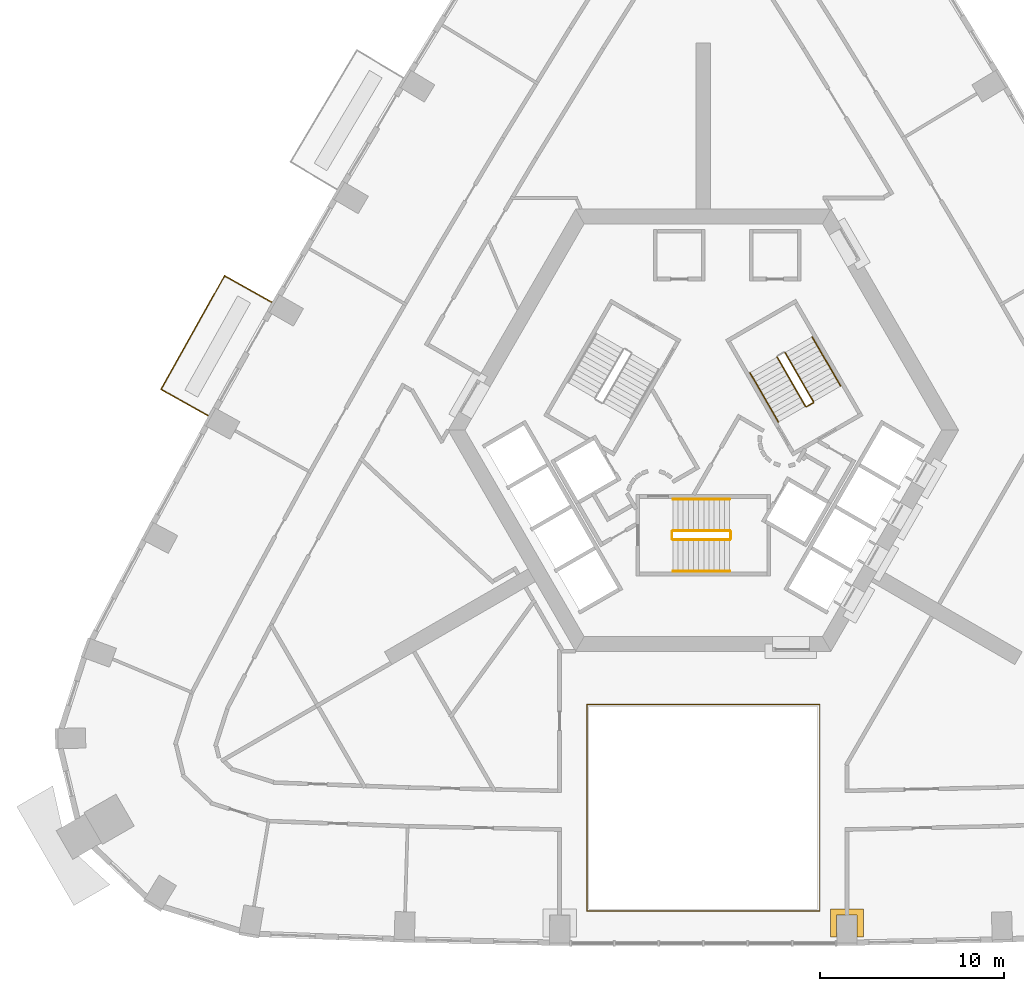
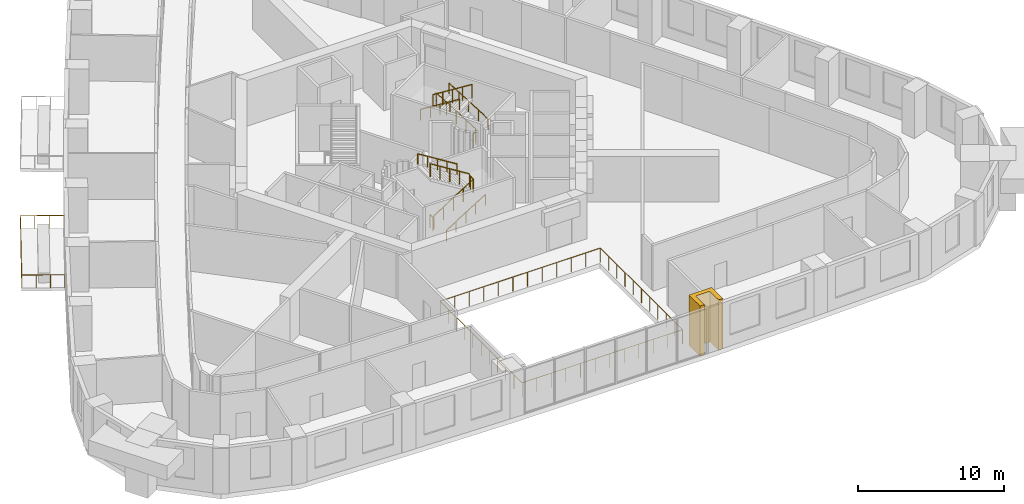
# One storey, part 13 of 15: 13 railings, 1 covering.
"""IFC4 building model written with IfcOpenShell, lengths in metres."""

from ifc_helpers import new_model, si_unit, direction, frame, origin, origin_2d, place, context, subcontext, project, spatial, polyline, circle, outline, extrude, material, type_object, element, save


model = new_model("IFC4")

# Units and contexts
model_context = context("Model", 3, precision=1e-05, world=origin(), true_north=direction((0.0, 1.0)))
body_context = subcontext(model_context, "Body", "Model", "MODEL_VIEW")
ifc_project = project(units=[si_unit("LENGTHUNIT", "METRE"), si_unit("AREAUNIT", "SQUARE_METRE"), si_unit("VOLUMEUNIT", "CUBIC_METRE"), si_unit("PLANEANGLEUNIT", "RADIAN"), si_unit("MASSUNIT", "GRAM", prefix="KILO")], contexts=[model_context])

# Site, building, storey
site_placement = place(None, origin())
site = spatial("IfcSite", under=ifc_project, at=site_placement, CompositionType="ELEMENT")
building_placement = place(site_placement, origin())
building = spatial("IfcBuilding", under=site, at=building_placement, Name="Entoto Arch Interchange Tower", CompositionType="ELEMENT")
storey_placement = place(building_placement, frame((0.0, 0.0, 171.800048828125)))
storey = spatial("IfcBuildingStorey", under=building, at=storey_placement, Name="L38", CompositionType="ELEMENT", Elevation=171.800048828125)

# Railings
ifc_material_1 = material(Name="Stainless steel 1.4301", Category="steel")
railing_type_1 = type_object("IfcRailingType", Name="ATRIUM GUARD 1200 STEEL AND GLASS", PredefinedType="GUARDRAIL", material=ifc_material_1)
railing_1_placement = place(storey_placement, frame((6.320068359375, -23.593017578125, 0.0)))
element("IfcRailing", 1, at=railing_1_placement, inside=storey, type_object=railing_type_1, Name="Atrium guard L38", PredefinedType="GUARDRAIL", context=body_context, shape_type="SweptSolid", body=[
    extrude(circle(Radius=0.02392578125, at=origin_2d()), frame((0.0, 0.0, 1.17578125), z_axis=(-1.0, 0.0, 0.0), x_axis=(0.0, -1.0, 0.0)), (0.0, 0.0, 1.0), 12.64013671875),
    extrude(circle(Radius=0.02392578125, at=origin_2d()), frame((-12.64013671875, 0.0, 1.17578125), z_axis=(0.0, 1.0, 0.0), x_axis=(-1.0, 0.0, 0.0)), (0.0, 0.0, 1.0), 11.213134765625),
    extrude(circle(Radius=0.02392578125, at=origin_2d()), frame((-12.64013671875, 11.213134765625, 1.17578125), z_axis=(1.0, 0.0, 0.0), x_axis=(0.0, 1.0, 0.0)), (0.0, 0.0, 1.0), 12.64013671875),
    extrude(circle(Radius=0.02392578125, at=origin_2d()), frame((0.0, 11.213134765625, 1.17578125), z_axis=(0.0, -1.0, 0.0), x_axis=(1.0, 0.0, 0.0)), (0.0, 0.0, 1.0), 11.213134765625),
    extrude(circle(Radius=0.02099609375, at=origin_2d()), origin(), (0.0, 0.0, 1.0), 1.15185546875),
    extrude(circle(Radius=0.02099609375, at=origin_2d()), frame((-1.149169921875, 0.0, 0.0)), (0.0, 0.0, 1.0), 1.15185546875),
    extrude(circle(Radius=0.02099609375, at=origin_2d()), frame((-2.298095703125, 0.0, 0.0)), (0.0, 0.0, 1.0), 1.15185546875),
    extrude(circle(Radius=0.02099609375, at=origin_2d()), frame((-3.447265625, 0.0, 0.0)), (0.0, 0.0, 1.0), 1.15185546875),
    extrude(circle(Radius=0.02099609375, at=origin_2d()), frame((-4.596435546875, 0.0, 0.0)), (0.0, 0.0, 1.0), 1.15185546875),
    extrude(circle(Radius=0.02099609375, at=origin_2d()), frame((-5.74560546875, 0.0, 0.0)), (0.0, 0.0, 1.0), 1.15185546875),
    extrude(circle(Radius=0.02099609375, at=origin_2d()), frame((-6.89453125, 0.0, 0.0)), (0.0, 0.0, 1.0), 1.15185546875),
    extrude(circle(Radius=0.02099609375, at=origin_2d()), frame((-8.043701171875, 0.0, 0.0)), (0.0, 0.0, 1.0), 1.15185546875),
    extrude(circle(Radius=0.02099609375, at=origin_2d()), frame((-9.19287109375, 0.0, 0.0)), (0.0, 0.0, 1.0), 1.15185546875),
    extrude(circle(Radius=0.02099609375, at=origin_2d()), frame((-10.342041015625, 0.0, 0.0)), (0.0, 0.0, 1.0), 1.15185546875),
    extrude(circle(Radius=0.02099609375, at=origin_2d()), frame((-11.490966796875, 0.0, 0.0)), (0.0, 0.0, 1.0), 1.15185546875),
    extrude(circle(Radius=0.02099609375, at=origin_2d()), frame((-12.64013671875, 0.0, 0.0)), (0.0, 0.0, 1.0), 1.15185546875),
    extrude(circle(Radius=0.02099609375, at=origin_2d()), frame((-12.64013671875, 1.121337890625, 0.0)), (0.0, 0.0, 1.0), 1.15185546875),
    extrude(circle(Radius=0.02099609375, at=origin_2d()), frame((-12.64013671875, 2.24267578125, 0.0)), (0.0, 0.0, 1.0), 1.15185546875),
    extrude(circle(Radius=0.02099609375, at=origin_2d()), frame((-12.64013671875, 3.364013671875, 0.0)), (0.0, 0.0, 1.0), 1.15185546875),
    extrude(circle(Radius=0.02099609375, at=origin_2d()), frame((-12.64013671875, 4.4853515625, 0.0)), (0.0, 0.0, 1.0), 1.15185546875),
    extrude(circle(Radius=0.02099609375, at=origin_2d()), frame((-12.64013671875, 5.6064453125, 0.0)), (0.0, 0.0, 1.0), 1.15185546875),
    extrude(circle(Radius=0.02099609375, at=origin_2d()), frame((-12.64013671875, 6.727783203125, 0.0)), (0.0, 0.0, 1.0), 1.15185546875),
    extrude(circle(Radius=0.02099609375, at=origin_2d()), frame((-12.64013671875, 7.84912109375, 0.0)), (0.0, 0.0, 1.0), 1.15185546875),
    extrude(circle(Radius=0.02099609375, at=origin_2d()), frame((-12.64013671875, 8.970458984375, 0.0)), (0.0, 0.0, 1.0), 1.15185546875),
    extrude(circle(Radius=0.02099609375, at=origin_2d()), frame((-12.64013671875, 10.091796875, 0.0)), (0.0, 0.0, 1.0), 1.15185546875),
    extrude(circle(Radius=0.02099609375, at=origin_2d()), frame((-12.64013671875, 11.213134765625, 0.0)), (0.0, 0.0, 1.0), 1.15185546875),
    extrude(circle(Radius=0.02099609375, at=origin_2d()), frame((-11.490966796875, 11.213134765625, 0.0)), (0.0, 0.0, 1.0), 1.15185546875),
    extrude(circle(Radius=0.02099609375, at=origin_2d()), frame((-10.342041015625, 11.213134765625, 0.0)), (0.0, 0.0, 1.0), 1.15185546875),
    extrude(circle(Radius=0.02099609375, at=origin_2d()), frame((-9.19287109375, 11.213134765625, 0.0)), (0.0, 0.0, 1.0), 1.15185546875),
    extrude(circle(Radius=0.02099609375, at=origin_2d()), frame((-8.043701171875, 11.213134765625, 0.0)), (0.0, 0.0, 1.0), 1.15185546875),
    extrude(circle(Radius=0.02099609375, at=origin_2d()), frame((-6.89453125, 11.213134765625, 0.0)), (0.0, 0.0, 1.0), 1.15185546875),
    extrude(circle(Radius=0.02099609375, at=origin_2d()), frame((-5.74560546875, 11.213134765625, 0.0)), (0.0, 0.0, 1.0), 1.15185546875),
    extrude(circle(Radius=0.02099609375, at=origin_2d()), frame((-4.596435546875, 11.213134765625, 0.0)), (0.0, 0.0, 1.0), 1.15185546875),
    extrude(circle(Radius=0.02099609375, at=origin_2d()), frame((-3.447265625, 11.213134765625, 0.0)), (0.0, 0.0, 1.0), 1.15185546875),
    extrude(circle(Radius=0.02099609375, at=origin_2d()), frame((-2.298095703125, 11.213134765625, 0.0)), (0.0, 0.0, 1.0), 1.15185546875),
    extrude(circle(Radius=0.02099609375, at=origin_2d()), frame((-1.149169921875, 11.213134765625, 0.0)), (0.0, 0.0, 1.0), 1.15185546875),
    extrude(circle(Radius=0.02099609375, at=origin_2d()), frame((0.0, 11.213134765625, 0.0)), (0.0, 0.0, 1.0), 1.15185546875),
    extrude(circle(Radius=0.02099609375, at=origin_2d()), frame((0.0, 10.091796875, 0.0)), (0.0, 0.0, 1.0), 1.15185546875),
    extrude(circle(Radius=0.02099609375, at=origin_2d()), frame((0.0, 8.970458984375, 0.0)), (0.0, 0.0, 1.0), 1.15185546875),
    extrude(circle(Radius=0.02099609375, at=origin_2d()), frame((0.0, 7.84912109375, 0.0)), (0.0, 0.0, 1.0), 1.15185546875),
    extrude(circle(Radius=0.02099609375, at=origin_2d()), frame((0.0, 6.727783203125, 0.0)), (0.0, 0.0, 1.0), 1.15185546875),
    extrude(circle(Radius=0.02099609375, at=origin_2d()), frame((0.0, 5.6064453125, 0.0)), (0.0, 0.0, 1.0), 1.15185546875),
    extrude(circle(Radius=0.02099609375, at=origin_2d()), frame((0.0, 4.4853515625, 0.0)), (0.0, 0.0, 1.0), 1.15185546875),
    extrude(circle(Radius=0.02099609375, at=origin_2d()), frame((0.0, 3.364013671875, 0.0)), (0.0, 0.0, 1.0), 1.15185546875),
    extrude(circle(Radius=0.02099609375, at=origin_2d()), frame((0.0, 2.24267578125, 0.0)), (0.0, 0.0, 1.0), 1.15185546875),
    extrude(circle(Radius=0.02099609375, at=origin_2d()), frame((0.0, 1.121337890625, 0.0)), (0.0, 0.0, 1.0), 1.15185546875),
])
railing_type_2 = type_object("IfcRailingType", Name="GUARD 1100 STEEL AND GLASS", PredefinedType="GUARDRAIL", material=ifc_material_1)
railing_2_placement = place(storey_placement, frame((-23.406005859375, 9.43603515625, 0.0)))
element("IfcRailing", 2, at=railing_2_placement, inside=storey, type_object=railing_type_2, Name="Balcony guard NW-05 L38", PredefinedType="GUARDRAIL", context=body_context, shape_type="SweptSolid", body=[
    extrude(circle(Radius=0.02392578125, at=origin_2d()), frame((0.0, 0.0, 1.076171875), z_axis=(-0.872217965147, 0.489117390077, 0.0), x_axis=(-0.489117390077, -0.872217965147, 0.0)), (0.0, 0.0, 1.0), 2.949951171875),
    extrude(circle(Radius=0.02392578125, at=origin_2d()), frame((-2.572998046875, 1.44287109375, 1.076171875), z_axis=(-0.489034853552, -0.872264244373, 0.0), x_axis=(0.872264244373, -0.489034853552, 0.0)), (0.0, 0.0, 1.0), 7.06298828125),
    extrude(circle(Radius=0.02392578125, at=origin_2d()), frame((-6.027099609375, -4.718017578125, 1.076171875), z_axis=(0.872182657065, -0.489180347842, 0.0), x_axis=(0.489180347842, 0.872182657065, 0.0)), (0.0, 0.0, 1.0), 2.949951171875),
    extrude(circle(Radius=0.02099609375, at=origin_2d()), origin(), (0.0, 0.0, 1.0), 1.052001953125),
    extrude(circle(Radius=0.02099609375, at=origin_2d()), frame((-0.857666015625, 0.48095703125, 0.0)), (0.0, 0.0, 1.0), 1.052001953125),
    extrude(circle(Radius=0.02099609375, at=origin_2d()), frame((-1.71533203125, 0.9619140625, 0.0)), (0.0, 0.0, 1.0), 1.052001953125),
    extrude(circle(Radius=0.02099609375, at=origin_2d()), frame((-2.572998046875, 1.44287109375, 0.0)), (0.0, 0.0, 1.0), 1.052001953125),
    extrude(circle(Radius=0.02099609375, at=origin_2d()), frame((-3.148681640625, 0.416015625, 0.0)), (0.0, 0.0, 1.0), 1.052001953125),
    extrude(circle(Radius=0.02099609375, at=origin_2d()), frame((-3.724365234375, -0.61083984375, 0.0)), (0.0, 0.0, 1.0), 1.052001953125),
    extrude(circle(Radius=0.02099609375, at=origin_2d()), frame((-4.300048828125, -1.6376953125, 0.0)), (0.0, 0.0, 1.0), 1.052001953125),
    extrude(circle(Radius=0.02099609375, at=origin_2d()), frame((-4.875732421875, -2.664306640625, 0.0)), (0.0, 0.0, 1.0), 1.052001953125),
    extrude(circle(Radius=0.02099609375, at=origin_2d()), frame((-5.451416015625, -3.691162109375, 0.0)), (0.0, 0.0, 1.0), 1.052001953125),
    extrude(circle(Radius=0.02099609375, at=origin_2d()), frame((-6.027099609375, -4.718017578125, 0.0)), (0.0, 0.0, 1.0), 1.052001953125),
    extrude(circle(Radius=0.02099609375, at=origin_2d()), frame((-5.16943359375, -5.198974609375, 0.0)), (0.0, 0.0, 1.0), 1.052001953125),
    extrude(circle(Radius=0.02099609375, at=origin_2d()), frame((-4.311767578125, -5.68017578125, 0.0)), (0.0, 0.0, 1.0), 1.052001953125),
    extrude(circle(Radius=0.02099609375, at=origin_2d()), frame((-3.4541015625, -6.1611328125, 0.0)), (0.0, 0.0, 1.0), 1.052001953125),
])

# Covering
ifc_material_2 = material(Name="Board-marked precast concrete C50/60", Category="concrete")
covering_type = type_object("IfcCoveringType", Name="PRECAST FRAME COURSE", PredefinedType="CLADDING", material=ifc_material_2)
covering_placement = place(storey_placement, frame((0.0, 0.0, -0.400146484375)))
element("IfcCovering", 3, at=covering_placement, inside=storey, type_object=covering_type, Name="Gate pier L38", PredefinedType="CLADDING", context=body_context, shape_type="SweptSolid", body=[
    extrude(outline(polyline([(6.888916015625, -23.472900390625), (8.68896484375, -23.472900390625), (8.68896484375, -24.9990234375), (8.339111328125, -24.9990234375), (8.339111328125, -23.822998046875), (7.239013671875, -23.822998046875), (7.239013671875, -24.9990234375), (6.888916015625, -24.9990234375), (6.888916015625, -23.472900390625)])), origin(), (0.0, 0.0, 1.0), 4.2001953125),
])

# Railings
railing_type_3 = type_object("IfcRailingType", Name="STAIR GUARD 1100 STEEL", PredefinedType="GUARDRAIL", material=ifc_material_1)
railing_3_placement = place(storey_placement, frame((-1.64990234375, -3.449951171875, 0.175048828125)))
element("IfcRailing", 4, at=railing_3_placement, inside=storey, type_object=railing_type_3, Name="L38 ST-S stair guard 1", PredefinedType="GUARDRAIL", context=body_context, shape_type="SweptSolid", body=[
    extrude(circle(Radius=0.02392578125, at=origin_2d()), frame((0.0, 0.0, 1.076171875), z_axis=(0.848009633417, 0.0, 0.529980812513), x_axis=(0.0, 1.0, 0.0)), (0.0, 0.0, 1.0), 3.6318359375),
    extrude(circle(Radius=0.02099609375, at=origin_2d()), origin(), (0.0, 0.0, 1.0), 1.052001953125),
    extrude(circle(Radius=0.02099609375, at=origin_2d()), frame((0.77001953125, 0.0, 0.481201171875)), (0.0, 0.0, 1.0), 1.052001953125),
    extrude(circle(Radius=0.02099609375, at=origin_2d()), frame((1.5400390625, 0.0, 0.96240234375)), (0.0, 0.0, 1.0), 1.052001953125),
    extrude(circle(Radius=0.02099609375, at=origin_2d()), frame((2.309814453125, 0.0, 1.443603515625)), (0.0, 0.0, 1.0), 1.052001953125),
    extrude(circle(Radius=0.02099609375, at=origin_2d()), frame((3.079833984375, 0.0, 1.9248046875)), (0.0, 0.0, 1.0), 1.052001953125),
])
railing_4_placement = place(storey_placement, frame((1.47998046875, -3.39990234375, 2.099853515625)))
element("IfcRailing", 5, at=railing_4_placement, inside=storey, type_object=railing_type_3, Name="L38 ST-S stair guard 2", PredefinedType="GUARDRAIL", context=body_context, shape_type="SweptSolid", body=[
    extrude(circle(Radius=0.02392578125, at=origin_2d()), frame((0.0, 0.0, 1.076171875), z_axis=(0.0, 1.0, 0.0), x_axis=(-1.0, 0.0, 0.0)), (0.0, 0.0, 1.0), 0.39990234375),
    extrude(circle(Radius=0.02099609375, at=origin_2d()), origin(), (0.0, 0.0, 1.0), 1.052001953125),
    extrude(circle(Radius=0.02099609375, at=origin_2d()), frame((0.0, 0.39990234375, 0.0)), (0.0, 0.0, 1.0), 1.052001953125),
])
railing_5_placement = place(storey_placement, frame((1.429931640625, -2.949951171875, 2.27490234375)))
element("IfcRailing", 6, at=railing_5_placement, inside=storey, type_object=railing_type_3, Name="L38 ST-S stair guard 3", PredefinedType="GUARDRAIL", context=body_context, shape_type="SweptSolid", body=[
    extrude(circle(Radius=0.02392578125, at=origin_2d()), frame((0.0, 0.0, 1.076171875), z_axis=(-0.847979421464, 0.0, 0.530029150871), x_axis=(0.0, -1.0, 0.0)), (0.0, 0.0, 1.0), 3.632080078125),
    extrude(circle(Radius=0.02099609375, at=origin_2d()), origin(), (0.0, 0.0, 1.0), 1.052001953125),
    extrude(circle(Radius=0.02099609375, at=origin_2d()), frame((-0.77001953125, 0.0, 0.481201171875)), (0.0, 0.0, 1.0), 1.052001953125),
    extrude(circle(Radius=0.02099609375, at=origin_2d()), frame((-1.5400390625, 0.0, 0.96240234375)), (0.0, 0.0, 1.0), 1.052001953125),
    extrude(circle(Radius=0.02099609375, at=origin_2d()), frame((-2.309814453125, 0.0, 1.44384765625)), (0.0, 0.0, 1.0), 1.052001953125),
    extrude(circle(Radius=0.02099609375, at=origin_2d()), frame((-3.079833984375, 0.0, 1.925048828125)), (0.0, 0.0, 1.0), 1.052001953125),
])
railing_6_placement = place(storey_placement, frame((-1.699951171875, -3.39990234375, 0.0)))
element("IfcRailing", 7, at=railing_6_placement, inside=storey, type_object=railing_type_3, Name="L38 ST-S stair guard 4", PredefinedType="GUARDRAIL", context=body_context, shape_type="SweptSolid", body=[
    extrude(circle(Radius=0.02392578125, at=origin_2d()), frame((0.0, 0.0, 1.076171875), z_axis=(0.0, 1.0, 0.0), x_axis=(-1.0, 0.0, 0.0)), (0.0, 0.0, 1.0), 0.39990234375),
    extrude(circle(Radius=0.02099609375, at=origin_2d()), origin(), (0.0, 0.0, 1.0), 1.052001953125),
    extrude(circle(Radius=0.02099609375, at=origin_2d()), frame((0.0, 0.39990234375, 0.0)), (0.0, 0.0, 1.0), 1.052001953125),
])
railing_7_placement = place(storey_placement, frame((5.977783203125, 4.046142578125, 0.175048828125)))
element("IfcRailing", 8, at=railing_7_placement, inside=storey, type_object=railing_type_3, Name="L38 ST-NE stair guard 1", PredefinedType="GUARDRAIL", context=body_context, shape_type="SweptSolid", body=[
    extrude(circle(Radius=0.02392578125, at=origin_2d()), frame((0.0, 0.0, 1.076171875), z_axis=(-0.42403051051, 0.734390191396, 0.529970917068), x_axis=(-0.866010015463, -0.500026652407, 0.0)), (0.0, 0.0, 1.0), 3.6318359375),
    extrude(circle(Radius=0.02099609375, at=origin_2d()), origin(), (0.0, 0.0, 1.0), 1.052001953125),
    extrude(circle(Radius=0.02099609375, at=origin_2d()), frame((-0.385009765625, 0.666748046875, 0.481201171875)), (0.0, 0.0, 1.0), 1.052001953125),
    extrude(circle(Radius=0.02099609375, at=origin_2d()), frame((-0.77001953125, 1.33349609375, 0.96240234375)), (0.0, 0.0, 1.0), 1.052001953125),
    extrude(circle(Radius=0.02099609375, at=origin_2d()), frame((-1.155029296875, 2.00048828125, 1.443603515625)), (0.0, 0.0, 1.0), 1.052001953125),
    extrude(circle(Radius=0.02099609375, at=origin_2d()), frame((-1.5400390625, 2.667236328125, 1.9248046875)), (0.0, 0.0, 1.0), 1.052001953125),
])
railing_8_placement = place(storey_placement, frame((4.0048828125, 6.46337890625, 2.27490234375)))
element("IfcRailing", 9, at=railing_8_placement, inside=storey, type_object=railing_type_3, Name="L38 ST-NE stair guard 3", PredefinedType="GUARDRAIL", context=body_context, shape_type="SweptSolid", body=[
    extrude(circle(Radius=0.02392578125, at=origin_2d()), frame((0.0, 0.0, 1.076171875), z_axis=(0.424015404183, -0.734364028329, 0.530019255228), x_axis=(0.866010015463, 0.500026652407, 0.0)), (0.0, 0.0, 1.0), 3.632080078125),
    extrude(circle(Radius=0.02099609375, at=origin_2d()), origin(), (0.0, 0.0, 1.0), 1.052001953125),
    extrude(circle(Radius=0.02099609375, at=origin_2d()), frame((0.385009765625, -0.666748046875, 0.481201171875)), (0.0, 0.0, 1.0), 1.052001953125),
    extrude(circle(Radius=0.02099609375, at=origin_2d()), frame((0.77001953125, -1.33349609375, 0.96240234375)), (0.0, 0.0, 1.0), 1.052001953125),
    extrude(circle(Radius=0.02099609375, at=origin_2d()), frame((1.155029296875, -2.00048828125, 1.44384765625)), (0.0, 0.0, 1.0), 1.052001953125),
    extrude(circle(Radius=0.02099609375, at=origin_2d()), frame((1.5400390625, -2.667236328125, 1.925048828125)), (0.0, 0.0, 1.0), 1.052001953125),
])
railing_9_placement = place(storey_placement, frame((5.95947265625, 3.977783203125, 0.0)))
element("IfcRailing", 10, at=railing_9_placement, inside=storey, type_object=railing_type_3, Name="L38 ST-NE stair guard 4", PredefinedType="GUARDRAIL", context=body_context, shape_type="SweptSolid", body=[
    extrude(circle(Radius=0.02392578125, at=origin_2d()), frame((0.0, 0.0, 1.076171875), z_axis=(-0.866094119867, -0.499880961361, 0.0), x_axis=(0.499880961361, -0.866094119867, 0.0)), (0.0, 0.0, 1.0), 0.39990234375),
    extrude(circle(Radius=0.02099609375, at=origin_2d()), origin(), (0.0, 0.0, 1.0), 1.052001953125),
    extrude(circle(Radius=0.02099609375, at=origin_2d()), frame((-0.346435546875, -0.199951171875, 0.0)), (0.0, 0.0, 1.0), 1.052001953125),
])
railing_type_4 = type_object("IfcRailingType", Name="STAIR HANDRAIL 900 STEEL", PredefinedType="HANDRAIL", material=ifc_material_1)
railing_10_placement = place(storey_placement, frame((-1.64990234375, -5.14990234375, 0.175048828125)))
element("IfcRailing", 11, at=railing_10_placement, inside=storey, type_object=railing_type_4, Name="L38 ST-S stair handrail 1", PredefinedType="HANDRAIL", context=body_context, shape_type="SweptSolid", body=[
    extrude(circle(Radius=0.02392578125, at=origin_2d()), frame((0.0, 0.0, 0.8759765625), z_axis=(0.848009633417, 0.0, 0.529980812513), x_axis=(0.0, 1.0, 0.0)), (0.0, 0.0, 1.0), 3.6318359375),
    extrude(circle(Radius=0.02099609375, at=origin_2d()), origin(), (0.0, 0.0, 1.0), 0.851806640625),
    extrude(circle(Radius=0.02099609375, at=origin_2d()), frame((0.77001953125, 0.0, 0.481201171875)), (0.0, 0.0, 1.0), 0.851806640625),
    extrude(circle(Radius=0.02099609375, at=origin_2d()), frame((1.5400390625, 0.0, 0.96240234375)), (0.0, 0.0, 1.0), 0.851806640625),
    extrude(circle(Radius=0.02099609375, at=origin_2d()), frame((2.309814453125, 0.0, 1.443603515625)), (0.0, 0.0, 1.0), 0.851806640625),
    extrude(circle(Radius=0.02099609375, at=origin_2d()), frame((3.079833984375, 0.0, 1.9248046875)), (0.0, 0.0, 1.0), 0.851806640625),
])
railing_11_placement = place(storey_placement, frame((1.429931640625, -1.25, 2.27490234375)))
element("IfcRailing", 12, at=railing_11_placement, inside=storey, type_object=railing_type_4, Name="L38 ST-S stair handrail 2", PredefinedType="HANDRAIL", context=body_context, shape_type="SweptSolid", body=[
    extrude(circle(Radius=0.02392578125, at=origin_2d()), frame((0.0, 0.0, 0.8759765625), z_axis=(-0.847979421464, 0.0, 0.530029150871), x_axis=(0.0, -1.0, 0.0)), (0.0, 0.0, 1.0), 3.632080078125),
    extrude(circle(Radius=0.02099609375, at=origin_2d()), origin(), (0.0, 0.0, 1.0), 0.851806640625),
    extrude(circle(Radius=0.02099609375, at=origin_2d()), frame((-0.77001953125, 0.0, 0.481201171875)), (0.0, 0.0, 1.0), 0.851806640625),
    extrude(circle(Radius=0.02099609375, at=origin_2d()), frame((-1.5400390625, 0.0, 0.96240234375)), (0.0, 0.0, 1.0), 0.851806640625),
    extrude(circle(Radius=0.02099609375, at=origin_2d()), frame((-2.309814453125, 0.0, 1.44384765625)), (0.0, 0.0, 1.0), 0.851806640625),
    extrude(circle(Radius=0.02099609375, at=origin_2d()), frame((-3.079833984375, 0.0, 1.925048828125)), (0.0, 0.0, 1.0), 0.851806640625),
])
railing_12_placement = place(storey_placement, frame((7.4501953125, 4.89599609375, 0.175048828125)))
element("IfcRailing", 13, at=railing_12_placement, inside=storey, type_object=railing_type_4, Name="L38 ST-NE stair handrail 1", PredefinedType="HANDRAIL", context=body_context, shape_type="SweptSolid", body=[
    extrude(circle(Radius=0.02392578125, at=origin_2d()), frame((0.0, 0.0, 0.8759765625), z_axis=(-0.424009578203, 0.734421155904, 0.529944755001), x_axis=(-0.866029832698, -0.499992328818, 0.0)), (0.0, 0.0, 1.0), 3.632080078125),
    extrude(circle(Radius=0.02099609375, at=origin_2d()), origin(), (0.0, 0.0, 1.0), 0.851806640625),
    extrude(circle(Radius=0.02099609375, at=origin_2d()), frame((-0.385009765625, 0.6669921875, 0.481201171875)), (0.0, 0.0, 1.0), 0.851806640625),
    extrude(circle(Radius=0.02099609375, at=origin_2d()), frame((-0.77001953125, 1.333740234375, 0.96240234375)), (0.0, 0.0, 1.0), 0.851806640625),
    extrude(circle(Radius=0.02099609375, at=origin_2d()), frame((-1.155029296875, 2.00048828125, 1.443603515625)), (0.0, 0.0, 1.0), 0.851806640625),
    extrude(circle(Radius=0.02099609375, at=origin_2d()), frame((-1.5400390625, 2.66748046875, 1.9248046875)), (0.0, 0.0, 1.0), 0.851806640625),
])
railing_13_placement = place(storey_placement, frame((2.53271484375, 5.613525390625, 2.27490234375)))
element("IfcRailing", 14, at=railing_13_placement, inside=storey, type_object=railing_type_4, Name="L38 ST-NE stair handrail 2", PredefinedType="HANDRAIL", context=body_context, shape_type="SweptSolid", body=[
    extrude(circle(Radius=0.02392578125, at=origin_2d()), frame((0.0, 0.0, 0.8759765625), z_axis=(0.423939339791, -0.734415923031, 0.53000819633), x_axis=(0.866064153644, 0.499932877268, 0.0)), (0.0, 0.0, 1.0), 3.632080078125),
    extrude(circle(Radius=0.02099609375, at=origin_2d()), origin(), (0.0, 0.0, 1.0), 0.851806640625),
    extrude(circle(Radius=0.02099609375, at=origin_2d()), frame((0.385009765625, -0.6669921875, 0.481201171875)), (0.0, 0.0, 1.0), 0.851806640625),
    extrude(circle(Radius=0.02099609375, at=origin_2d()), frame((0.77001953125, -1.333740234375, 0.96240234375)), (0.0, 0.0, 1.0), 0.851806640625),
    extrude(circle(Radius=0.02099609375, at=origin_2d()), frame((1.15478515625, -2.00048828125, 1.44384765625)), (0.0, 0.0, 1.0), 0.851806640625),
    extrude(circle(Radius=0.02099609375, at=origin_2d()), frame((1.539794921875, -2.66748046875, 1.925048828125)), (0.0, 0.0, 1.0), 0.851806640625),
])

save(model, "model.ifc")
